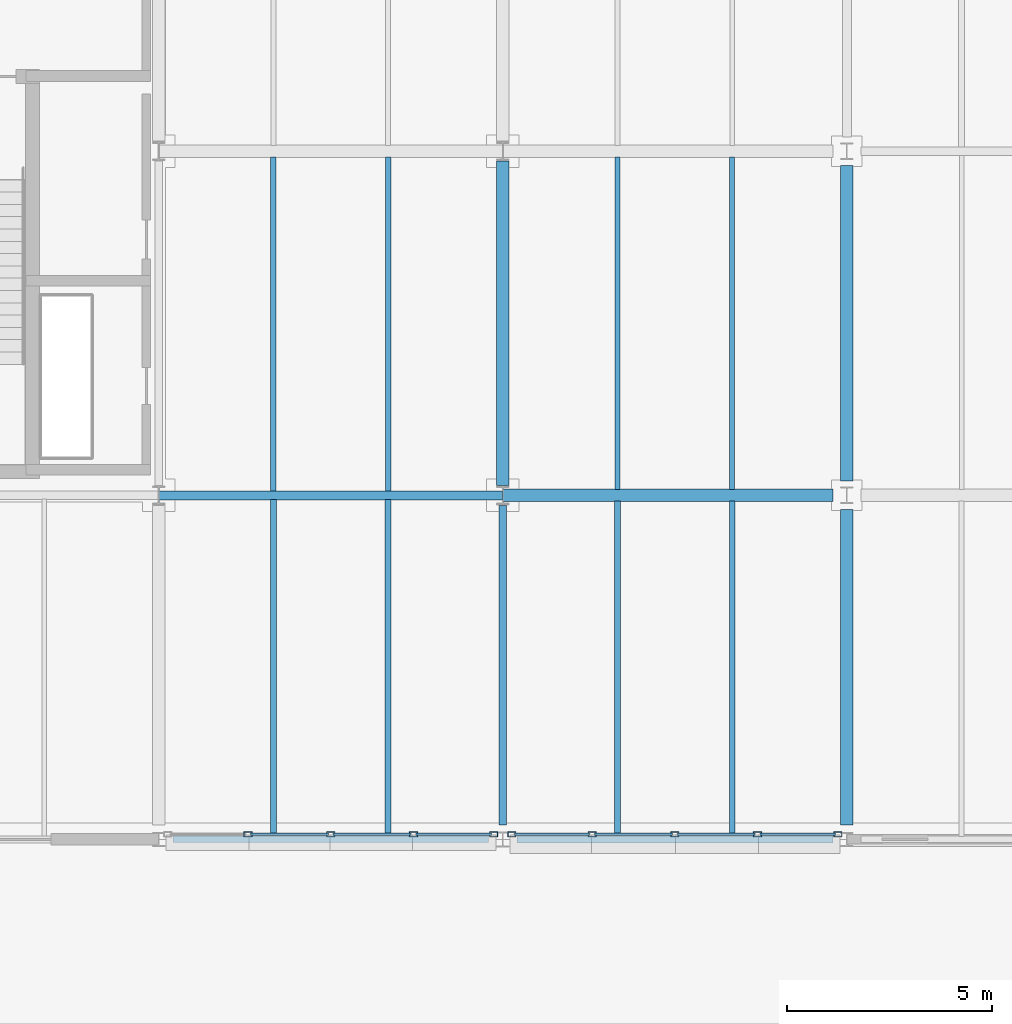
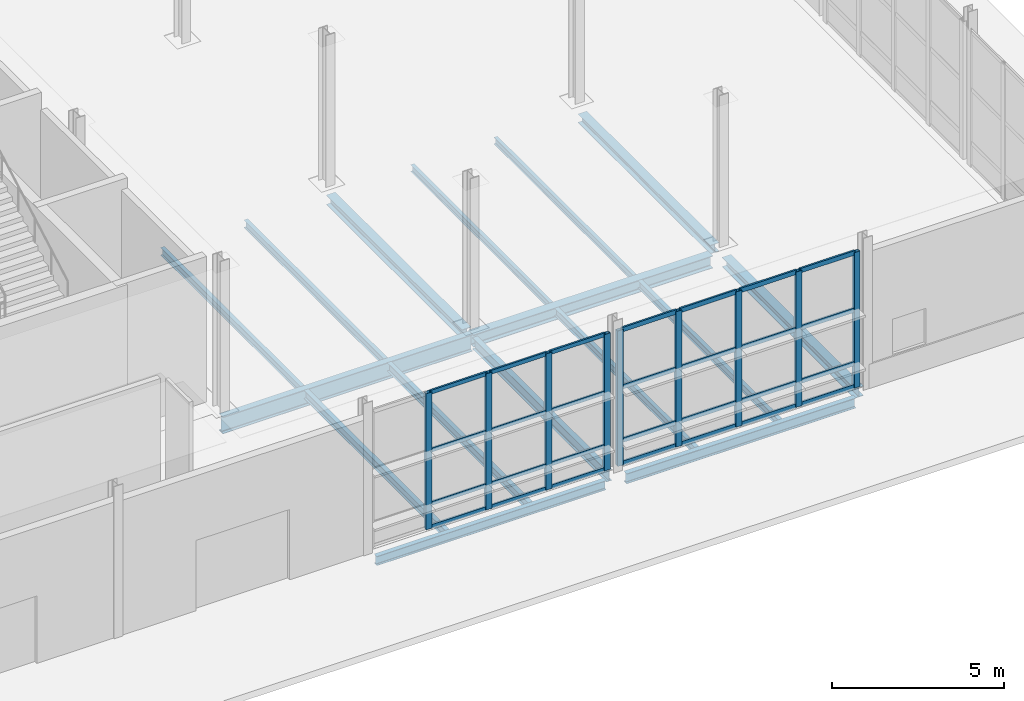
# One storey, part 46 of 124: 37 members, 16 beams, 2 elements without a shape of their own.
"""IFC4 building model written with IfcOpenShell, lengths in metres."""

from ifc_helpers import new_model, si_unit, direction, frame, origin, origin_2d, place, context, subcontext, project, spatial, hollow_rectangle, i_section, extrude, material, material_profile, profile_set, type_object, element, aggregate, save


model = new_model("IFC4")

# Units and contexts
model_context = context("Model", 3, precision=1e-05, world=origin(), true_north=direction((0.0, 1.0)))
body_context = subcontext(model_context, "Body", "Model", "MODEL_VIEW")
ifc_project = project(units=[si_unit("LENGTHUNIT", "METRE"), si_unit("AREAUNIT", "SQUARE_METRE"), si_unit("VOLUMEUNIT", "CUBIC_METRE"), si_unit("PLANEANGLEUNIT", "RADIAN"), si_unit("MASSUNIT", "GRAM", prefix="KILO")], contexts=[model_context])

# Site, building, storey
site_placement = place(None, origin())
site = spatial("IfcSite", under=ifc_project, at=site_placement, CompositionType="ELEMENT")
building_placement = place(site_placement, origin())
building = spatial("IfcBuilding", under=site, at=building_placement, Name="Mersafa Astral City Hall", CompositionType="ELEMENT")
storey_placement = place(building_placement, origin())
storey = spatial("IfcBuildingStorey", under=building, at=storey_placement, Name="L00", CompositionType="ELEMENT", Elevation=0.0)

# Curtain wall, members
ifc_material_1 = material(Name="Anodised bronze aluminium framing", Category="aluminium")
curtain_wall_type_1 = type_object("IfcCurtainWallType", Name="ENV-CW-2", PredefinedType="USERDEFINED", material=ifc_material_1)
curtain_wall_1_placement = place(storey_placement, origin())
curtain_wall_1 = element("IfcCurtainWall", 1, at=curtain_wall_1_placement, inside=storey, type_object=curtain_wall_type_1, Name="L00 Unitised solar curtain wall 1", ObjectType="UNITISED CURTAIN WALL", PredefinedType="USERDEFINED")
ifc_material_profile_1 = material_profile(ifc_material_1, hollow_rectangle(XDim=0.1201171875, YDim=0.199951171875, WallThickness=0.008056640625, at=origin_2d()), Name="RHS 120x200x8")
ifc_profile_set_1 = profile_set([ifc_material_profile_1], Name="Anodised bronze aluminium framing")
member_type_1 = type_object("IfcMemberType", Name="ENV-CW-MUL-2", PredefinedType="MULLION", material=ifc_profile_set_1)
member_1_placement = place(storey_placement, frame((128.180908203125, 0.1201171875, -0.001953125), z_axis=(0.0, 0.0, 1.0), x_axis=(0.0, 1.0, 0.0)))
member_1 = element("IfcMember", 2, at=member_1_placement, type_object=member_type_1, Name="CW-2 mullion 2", PredefinedType="MULLION", context=body_context, shape_type="SweptSolid", body=[
    extrude(hollow_rectangle(XDim=0.1201171875, YDim=0.199951171875, WallThickness=0.008056640625, at=origin_2d()), origin(), (0.0, 0.0, 1.0), 4.843994140625),
])
member_2_placement = place(storey_placement, frame((130.199951171875, 0.1201171875, -0.001953125), z_axis=(0.0, 0.0, 1.0), x_axis=(0.0, 1.0, 0.0)))
member_2 = element("IfcMember", 3, at=member_2_placement, type_object=member_type_1, Name="CW-2 mullion 3", PredefinedType="MULLION", context=body_context, shape_type="SweptSolid", body=[
    extrude(hollow_rectangle(XDim=0.1201171875, YDim=0.199951171875, WallThickness=0.008056640625, at=origin_2d()), origin(), (0.0, 0.0, 1.0), 4.843994140625),
])
member_3_placement = place(storey_placement, frame((132.218994140625, 0.1201171875, -0.001953125), z_axis=(0.0, 0.0, 1.0), x_axis=(0.0, 1.0, 0.0)))
member_3 = element("IfcMember", 4, at=member_3_placement, type_object=member_type_1, Name="CW-2 mullion 4", PredefinedType="MULLION", context=body_context, shape_type="SweptSolid", body=[
    extrude(hollow_rectangle(XDim=0.1201171875, YDim=0.199951171875, WallThickness=0.008056640625, at=origin_2d()), origin(), (0.0, 0.0, 1.0), 4.843994140625),
])
member_4_placement = place(storey_placement, frame((134.177978515625, 0.1201171875, -0.001953125), z_axis=(0.0, 0.0, 1.0), x_axis=(0.0, 1.0, 0.0)))
member_4 = element("IfcMember", 5, at=member_4_placement, type_object=member_type_1, Name="CW-2 mullion 5", PredefinedType="MULLION", context=body_context, shape_type="SweptSolid", body=[
    extrude(hollow_rectangle(XDim=0.1201171875, YDim=0.199951171875, WallThickness=0.008056640625, at=origin_2d()), origin(), (0.0, 0.0, 1.0), 4.843994140625),
])

curtain_wall_type_2 = type_object("IfcCurtainWallType", Name="ENV-CW-3", PredefinedType="USERDEFINED", material=ifc_material_1)
curtain_wall_2_placement = place(storey_placement, origin())
curtain_wall_2 = element("IfcCurtainWall", 6, at=curtain_wall_2_placement, inside=storey, type_object=curtain_wall_type_2, Name="L00 Unitised solar curtain wall 2", ObjectType="UNITISED CURTAIN WALL", PredefinedType="USERDEFINED")
member_5_placement = place(storey_placement, frame((134.6220703125, 0.1201171875, -0.001953125), z_axis=(0.0, 0.0, 1.0), x_axis=(0.0, 1.0, 0.0)))
member_5 = element("IfcMember", 7, at=member_5_placement, type_object=member_type_1, Name="CW-3 mullion 1", PredefinedType="MULLION", context=body_context, shape_type="SweptSolid", body=[
    extrude(hollow_rectangle(XDim=0.1201171875, YDim=0.199951171875, WallThickness=0.008056640625, at=origin_2d()), origin(), (0.0, 0.0, 1.0), 4.81396484375),
])
member_6_placement = place(storey_placement, frame((136.5810546875, 0.1201171875, -0.001953125), z_axis=(0.0, 0.0, 1.0), x_axis=(0.0, 1.0, 0.0)))
member_6 = element("IfcMember", 8, at=member_6_placement, type_object=member_type_1, Name="CW-3 mullion 2", PredefinedType="MULLION", context=body_context, shape_type="SweptSolid", body=[
    extrude(hollow_rectangle(XDim=0.1201171875, YDim=0.199951171875, WallThickness=0.008056640625, at=origin_2d()), origin(), (0.0, 0.0, 1.0), 4.81396484375),
])
member_7_placement = place(storey_placement, frame((138.60009765625, 0.1201171875, -0.001953125), z_axis=(0.0, 0.0, 1.0), x_axis=(0.0, 1.0, 0.0)))
member_7 = element("IfcMember", 9, at=member_7_placement, type_object=member_type_1, Name="CW-3 mullion 3", PredefinedType="MULLION", context=body_context, shape_type="SweptSolid", body=[
    extrude(hollow_rectangle(XDim=0.1201171875, YDim=0.199951171875, WallThickness=0.008056640625, at=origin_2d()), origin(), (0.0, 0.0, 1.0), 4.81396484375),
])
member_8_placement = place(storey_placement, frame((140.618896484375, 0.1201171875, -0.001953125), z_axis=(0.0, 0.0, 1.0), x_axis=(0.0, 1.0, 0.0)))
member_8 = element("IfcMember", 10, at=member_8_placement, type_object=member_type_1, Name="CW-3 mullion 4", PredefinedType="MULLION", context=body_context, shape_type="SweptSolid", body=[
    extrude(hollow_rectangle(XDim=0.1201171875, YDim=0.199951171875, WallThickness=0.008056640625, at=origin_2d()), origin(), (0.0, 0.0, 1.0), 4.81396484375),
])
member_9_placement = place(storey_placement, frame((142.577880859375, 0.1201171875, -0.001953125), z_axis=(0.0, 0.0, 1.0), x_axis=(0.0, 1.0, 0.0)))
member_9 = element("IfcMember", 11, at=member_9_placement, type_object=member_type_1, Name="CW-3 mullion 5", PredefinedType="MULLION", context=body_context, shape_type="SweptSolid", body=[
    extrude(hollow_rectangle(XDim=0.1201171875, YDim=0.199951171875, WallThickness=0.008056640625, at=origin_2d()), origin(), (0.0, 0.0, 1.0), 4.81396484375),
])

# Member
ifc_material_profile_2 = material_profile(ifc_material_1, hollow_rectangle(XDim=0.06005859375, YDim=0.139892578125, WallThickness=0.00390625, at=origin_2d()), Name="RHS 60x140x4")
ifc_profile_set_2 = profile_set([ifc_material_profile_2], Name="Anodised bronze aluminium framing")
member_type_2 = type_object("IfcMemberType", Name="ENV-CW-TRN-1", PredefinedType="USERDEFINED", material=ifc_profile_set_2)
member_10_placement = place(storey_placement, frame((128.240966796875, 0.1201171875, 0.028076171875), z_axis=(1.0, 0.0, 0.0), x_axis=(0.0, 1.0, 0.0)))
member_10 = element("IfcMember", 12, at=member_10_placement, type_object=member_type_2, Name="CW-2 transom 2.1", ObjectType="TRANSOM", PredefinedType="USERDEFINED", context=body_context, shape_type="SweptSolid", body=[
    extrude(hollow_rectangle(XDim=0.06005859375, YDim=0.139892578125, WallThickness=0.00390625, at=origin_2d()), origin(), (0.0, 0.0, 1.0), 1.89892578125),
])

member_11_placement = place(storey_placement, frame((128.240966796875, 0.1201171875, 0.85009765625), z_axis=(1.0, 0.0, 0.0), x_axis=(0.0, 1.0, 0.0)))
member_11 = element("IfcMember", 13, at=member_11_placement, type_object=member_type_2, Name="CW-2 transom 2.2", ObjectType="TRANSOM", PredefinedType="USERDEFINED", context=body_context, shape_type="SweptSolid", body=[
    extrude(hollow_rectangle(XDim=0.06005859375, YDim=0.139892578125, WallThickness=0.00390625, at=origin_2d()), origin(), (0.0, 0.0, 1.0), 1.89892578125),
])

member_12_placement = place(storey_placement, frame((128.240966796875, 0.1201171875, 2.75), z_axis=(1.0, 0.0, 0.0), x_axis=(0.0, 1.0, 0.0)))
member_12 = element("IfcMember", 14, at=member_12_placement, type_object=member_type_2, Name="CW-2 transom 2.3", ObjectType="TRANSOM", PredefinedType="USERDEFINED", context=body_context, shape_type="SweptSolid", body=[
    extrude(hollow_rectangle(XDim=0.06005859375, YDim=0.139892578125, WallThickness=0.00390625, at=origin_2d()), origin(), (0.0, 0.0, 1.0), 1.89892578125),
])

member_13_placement = place(storey_placement, frame((128.240966796875, 0.1201171875, 4.81201171875), z_axis=(1.0, 0.0, 0.0), x_axis=(0.0, 1.0, 0.0)))
member_13 = element("IfcMember", 15, at=member_13_placement, type_object=member_type_2, Name="CW-2 transom 2.4", ObjectType="TRANSOM", PredefinedType="USERDEFINED", context=body_context, shape_type="SweptSolid", body=[
    extrude(hollow_rectangle(XDim=0.06005859375, YDim=0.139892578125, WallThickness=0.00390625, at=origin_2d()), origin(), (0.0, 0.0, 1.0), 1.89892578125),
])

member_14_placement = place(storey_placement, frame((130.260009765625, 0.1201171875, 0.028076171875), z_axis=(1.0, 0.0, 0.0), x_axis=(0.0, 1.0, 0.0)))
member_14 = element("IfcMember", 16, at=member_14_placement, type_object=member_type_2, Name="CW-2 transom 3.1", ObjectType="TRANSOM", PredefinedType="USERDEFINED", context=body_context, shape_type="SweptSolid", body=[
    extrude(hollow_rectangle(XDim=0.06005859375, YDim=0.139892578125, WallThickness=0.00390625, at=origin_2d()), origin(), (0.0, 0.0, 1.0), 1.89892578125),
])

member_15_placement = place(storey_placement, frame((130.260009765625, 0.1201171875, 0.85009765625), z_axis=(1.0, 0.0, 0.0), x_axis=(0.0, 1.0, 0.0)))
member_15 = element("IfcMember", 17, at=member_15_placement, type_object=member_type_2, Name="CW-2 transom 3.2", ObjectType="TRANSOM", PredefinedType="USERDEFINED", context=body_context, shape_type="SweptSolid", body=[
    extrude(hollow_rectangle(XDim=0.06005859375, YDim=0.139892578125, WallThickness=0.00390625, at=origin_2d()), origin(), (0.0, 0.0, 1.0), 1.89892578125),
])

member_16_placement = place(storey_placement, frame((130.260009765625, 0.1201171875, 2.75), z_axis=(1.0, 0.0, 0.0), x_axis=(0.0, 1.0, 0.0)))
member_16 = element("IfcMember", 18, at=member_16_placement, type_object=member_type_2, Name="CW-2 transom 3.3", ObjectType="TRANSOM", PredefinedType="USERDEFINED", context=body_context, shape_type="SweptSolid", body=[
    extrude(hollow_rectangle(XDim=0.06005859375, YDim=0.139892578125, WallThickness=0.00390625, at=origin_2d()), origin(), (0.0, 0.0, 1.0), 1.89892578125),
])

member_17_placement = place(storey_placement, frame((130.260009765625, 0.1201171875, 4.81201171875), z_axis=(1.0, 0.0, 0.0), x_axis=(0.0, 1.0, 0.0)))
member_17 = element("IfcMember", 19, at=member_17_placement, type_object=member_type_2, Name="CW-2 transom 3.4", ObjectType="TRANSOM", PredefinedType="USERDEFINED", context=body_context, shape_type="SweptSolid", body=[
    extrude(hollow_rectangle(XDim=0.06005859375, YDim=0.139892578125, WallThickness=0.00390625, at=origin_2d()), origin(), (0.0, 0.0, 1.0), 1.89892578125),
])

member_18_placement = place(storey_placement, frame((132.279052734375, 0.1201171875, 0.028076171875), z_axis=(1.0, 0.0, 0.0), x_axis=(0.0, 1.0, 0.0)))
member_18 = element("IfcMember", 20, at=member_18_placement, type_object=member_type_2, Name="CW-2 transom 4.1", ObjectType="TRANSOM", PredefinedType="USERDEFINED", context=body_context, shape_type="SweptSolid", body=[
    extrude(hollow_rectangle(XDim=0.06005859375, YDim=0.139892578125, WallThickness=0.00390625, at=origin_2d()), origin(), (0.0, 0.0, 1.0), 1.8388671875),
])

member_19_placement = place(storey_placement, frame((132.279052734375, 0.1201171875, 0.85009765625), z_axis=(1.0, 0.0, 0.0), x_axis=(0.0, 1.0, 0.0)))
member_19 = element("IfcMember", 21, at=member_19_placement, type_object=member_type_2, Name="CW-2 transom 4.2", ObjectType="TRANSOM", PredefinedType="USERDEFINED", context=body_context, shape_type="SweptSolid", body=[
    extrude(hollow_rectangle(XDim=0.06005859375, YDim=0.139892578125, WallThickness=0.00390625, at=origin_2d()), origin(), (0.0, 0.0, 1.0), 1.8388671875),
])

member_20_placement = place(storey_placement, frame((132.279052734375, 0.1201171875, 2.75), z_axis=(1.0, 0.0, 0.0), x_axis=(0.0, 1.0, 0.0)))
member_20 = element("IfcMember", 22, at=member_20_placement, type_object=member_type_2, Name="CW-2 transom 4.3", ObjectType="TRANSOM", PredefinedType="USERDEFINED", context=body_context, shape_type="SweptSolid", body=[
    extrude(hollow_rectangle(XDim=0.06005859375, YDim=0.139892578125, WallThickness=0.00390625, at=origin_2d()), origin(), (0.0, 0.0, 1.0), 1.8388671875),
])

member_21_placement = place(storey_placement, frame((132.279052734375, 0.1201171875, 4.81201171875), z_axis=(1.0, 0.0, 0.0), x_axis=(0.0, 1.0, 0.0)))
member_21 = element("IfcMember", 23, at=member_21_placement, type_object=member_type_2, Name="CW-2 transom 4.4", ObjectType="TRANSOM", PredefinedType="USERDEFINED", context=body_context, shape_type="SweptSolid", body=[
    extrude(hollow_rectangle(XDim=0.06005859375, YDim=0.139892578125, WallThickness=0.00390625, at=origin_2d()), origin(), (0.0, 0.0, 1.0), 1.8388671875),
])

aggregate(curtain_wall_1, [member_1, member_2, member_3, member_4, member_10, member_11, member_12, member_13, member_14, member_15, member_16, member_17, member_18, member_19, member_20, member_21])

ifc_material_profile_3 = material_profile(ifc_material_1, hollow_rectangle(XDim=0.06005859375, YDim=0.159912109375, WallThickness=0.00390625, at=origin_2d()), Name="RHS 60x160x4")
ifc_profile_set_3 = profile_set([ifc_material_profile_3], Name="Anodised bronze aluminium framing")
member_type_3 = type_object("IfcMemberType", Name="ENV-CW-TRN-2", PredefinedType="USERDEFINED", material=ifc_profile_set_3)
member_22_placement = place(storey_placement, frame((134.681884765625, 0.1201171875, 0.028076171875), z_axis=(1.0, 0.0, 0.0), x_axis=(0.0, 1.0, 0.0)))
member_22 = element("IfcMember", 24, at=member_22_placement, type_object=member_type_3, Name="CW-3 transom 1.1", ObjectType="TRANSOM", PredefinedType="USERDEFINED", context=body_context, shape_type="SweptSolid", body=[
    extrude(hollow_rectangle(XDim=0.06005859375, YDim=0.159912109375, WallThickness=0.00390625, at=origin_2d()), origin(), (0.0, 0.0, 1.0), 1.839111328125),
])

member_23_placement = place(storey_placement, frame((134.681884765625, 0.1201171875, 0.85009765625), z_axis=(1.0, 0.0, 0.0), x_axis=(0.0, 1.0, 0.0)))
member_23 = element("IfcMember", 25, at=member_23_placement, type_object=member_type_3, Name="CW-3 transom 1.2", ObjectType="TRANSOM", PredefinedType="USERDEFINED", context=body_context, shape_type="SweptSolid", body=[
    extrude(hollow_rectangle(XDim=0.06005859375, YDim=0.159912109375, WallThickness=0.00390625, at=origin_2d()), origin(), (0.0, 0.0, 1.0), 1.839111328125),
])

member_24_placement = place(storey_placement, frame((134.681884765625, 0.1201171875, 2.75), z_axis=(1.0, 0.0, 0.0), x_axis=(0.0, 1.0, 0.0)))
member_24 = element("IfcMember", 26, at=member_24_placement, type_object=member_type_3, Name="CW-3 transom 1.3", ObjectType="TRANSOM", PredefinedType="USERDEFINED", context=body_context, shape_type="SweptSolid", body=[
    extrude(hollow_rectangle(XDim=0.06005859375, YDim=0.159912109375, WallThickness=0.00390625, at=origin_2d()), origin(), (0.0, 0.0, 1.0), 1.839111328125),
])

member_25_placement = place(storey_placement, frame((134.681884765625, 0.1201171875, 4.781982421875), z_axis=(1.0, 0.0, 0.0), x_axis=(0.0, 1.0, 0.0)))
member_25 = element("IfcMember", 27, at=member_25_placement, type_object=member_type_3, Name="CW-3 transom 1.4", ObjectType="TRANSOM", PredefinedType="USERDEFINED", context=body_context, shape_type="SweptSolid", body=[
    extrude(hollow_rectangle(XDim=0.06005859375, YDim=0.159912109375, WallThickness=0.00390625, at=origin_2d()), origin(), (0.0, 0.0, 1.0), 1.839111328125),
])

member_26_placement = place(storey_placement, frame((136.64111328125, 0.1201171875, 0.028076171875), z_axis=(1.0, 0.0, 0.0), x_axis=(0.0, 1.0, 0.0)))
member_26 = element("IfcMember", 28, at=member_26_placement, type_object=member_type_3, Name="CW-3 transom 2.1", ObjectType="TRANSOM", PredefinedType="USERDEFINED", context=body_context, shape_type="SweptSolid", body=[
    extrude(hollow_rectangle(XDim=0.06005859375, YDim=0.159912109375, WallThickness=0.00390625, at=origin_2d()), origin(), (0.0, 0.0, 1.0), 1.89892578125),
])

member_27_placement = place(storey_placement, frame((136.64111328125, 0.1201171875, 0.85009765625), z_axis=(1.0, 0.0, 0.0), x_axis=(0.0, 1.0, 0.0)))
member_27 = element("IfcMember", 29, at=member_27_placement, type_object=member_type_3, Name="CW-3 transom 2.2", ObjectType="TRANSOM", PredefinedType="USERDEFINED", context=body_context, shape_type="SweptSolid", body=[
    extrude(hollow_rectangle(XDim=0.06005859375, YDim=0.159912109375, WallThickness=0.00390625, at=origin_2d()), origin(), (0.0, 0.0, 1.0), 1.89892578125),
])

member_28_placement = place(storey_placement, frame((136.64111328125, 0.1201171875, 2.75), z_axis=(1.0, 0.0, 0.0), x_axis=(0.0, 1.0, 0.0)))
member_28 = element("IfcMember", 30, at=member_28_placement, type_object=member_type_3, Name="CW-3 transom 2.3", ObjectType="TRANSOM", PredefinedType="USERDEFINED", context=body_context, shape_type="SweptSolid", body=[
    extrude(hollow_rectangle(XDim=0.06005859375, YDim=0.159912109375, WallThickness=0.00390625, at=origin_2d()), origin(), (0.0, 0.0, 1.0), 1.89892578125),
])

member_29_placement = place(storey_placement, frame((136.64111328125, 0.1201171875, 4.781982421875), z_axis=(1.0, 0.0, 0.0), x_axis=(0.0, 1.0, 0.0)))
member_29 = element("IfcMember", 31, at=member_29_placement, type_object=member_type_3, Name="CW-3 transom 2.4", ObjectType="TRANSOM", PredefinedType="USERDEFINED", context=body_context, shape_type="SweptSolid", body=[
    extrude(hollow_rectangle(XDim=0.06005859375, YDim=0.159912109375, WallThickness=0.00390625, at=origin_2d()), origin(), (0.0, 0.0, 1.0), 1.89892578125),
])

member_30_placement = place(storey_placement, frame((138.659912109375, 0.1201171875, 0.028076171875), z_axis=(1.0, 0.0, 0.0), x_axis=(0.0, 1.0, 0.0)))
member_30 = element("IfcMember", 32, at=member_30_placement, type_object=member_type_3, Name="CW-3 transom 3.1", ObjectType="TRANSOM", PredefinedType="USERDEFINED", context=body_context, shape_type="SweptSolid", body=[
    extrude(hollow_rectangle(XDim=0.06005859375, YDim=0.159912109375, WallThickness=0.00390625, at=origin_2d()), origin(), (0.0, 0.0, 1.0), 1.899169921875),
])

member_31_placement = place(storey_placement, frame((138.659912109375, 0.1201171875, 0.85009765625), z_axis=(1.0, 0.0, 0.0), x_axis=(0.0, 1.0, 0.0)))
member_31 = element("IfcMember", 33, at=member_31_placement, type_object=member_type_3, Name="CW-3 transom 3.2", ObjectType="TRANSOM", PredefinedType="USERDEFINED", context=body_context, shape_type="SweptSolid", body=[
    extrude(hollow_rectangle(XDim=0.06005859375, YDim=0.159912109375, WallThickness=0.00390625, at=origin_2d()), origin(), (0.0, 0.0, 1.0), 1.899169921875),
])

member_32_placement = place(storey_placement, frame((138.659912109375, 0.1201171875, 2.75), z_axis=(1.0, 0.0, 0.0), x_axis=(0.0, 1.0, 0.0)))
member_32 = element("IfcMember", 34, at=member_32_placement, type_object=member_type_3, Name="CW-3 transom 3.3", ObjectType="TRANSOM", PredefinedType="USERDEFINED", context=body_context, shape_type="SweptSolid", body=[
    extrude(hollow_rectangle(XDim=0.06005859375, YDim=0.159912109375, WallThickness=0.00390625, at=origin_2d()), origin(), (0.0, 0.0, 1.0), 1.899169921875),
])

member_33_placement = place(storey_placement, frame((138.659912109375, 0.1201171875, 4.781982421875), z_axis=(1.0, 0.0, 0.0), x_axis=(0.0, 1.0, 0.0)))
member_33 = element("IfcMember", 35, at=member_33_placement, type_object=member_type_3, Name="CW-3 transom 3.4", ObjectType="TRANSOM", PredefinedType="USERDEFINED", context=body_context, shape_type="SweptSolid", body=[
    extrude(hollow_rectangle(XDim=0.06005859375, YDim=0.159912109375, WallThickness=0.00390625, at=origin_2d()), origin(), (0.0, 0.0, 1.0), 1.899169921875),
])

member_34_placement = place(storey_placement, frame((140.678955078125, 0.1201171875, 0.028076171875), z_axis=(1.0, 0.0, 0.0), x_axis=(0.0, 1.0, 0.0)))
member_34 = element("IfcMember", 36, at=member_34_placement, type_object=member_type_3, Name="CW-3 transom 4.1", ObjectType="TRANSOM", PredefinedType="USERDEFINED", context=body_context, shape_type="SweptSolid", body=[
    extrude(hollow_rectangle(XDim=0.06005859375, YDim=0.159912109375, WallThickness=0.00390625, at=origin_2d()), origin(), (0.0, 0.0, 1.0), 1.839111328125),
])

member_35_placement = place(storey_placement, frame((140.678955078125, 0.1201171875, 0.85009765625), z_axis=(1.0, 0.0, 0.0), x_axis=(0.0, 1.0, 0.0)))
member_35 = element("IfcMember", 37, at=member_35_placement, type_object=member_type_3, Name="CW-3 transom 4.2", ObjectType="TRANSOM", PredefinedType="USERDEFINED", context=body_context, shape_type="SweptSolid", body=[
    extrude(hollow_rectangle(XDim=0.06005859375, YDim=0.159912109375, WallThickness=0.00390625, at=origin_2d()), origin(), (0.0, 0.0, 1.0), 1.839111328125),
])

member_36_placement = place(storey_placement, frame((140.678955078125, 0.1201171875, 2.75), z_axis=(1.0, 0.0, 0.0), x_axis=(0.0, 1.0, 0.0)))
member_36 = element("IfcMember", 38, at=member_36_placement, type_object=member_type_3, Name="CW-3 transom 4.3", ObjectType="TRANSOM", PredefinedType="USERDEFINED", context=body_context, shape_type="SweptSolid", body=[
    extrude(hollow_rectangle(XDim=0.06005859375, YDim=0.159912109375, WallThickness=0.00390625, at=origin_2d()), origin(), (0.0, 0.0, 1.0), 1.839111328125),
])

member_37_placement = place(storey_placement, frame((140.678955078125, 0.1201171875, 4.781982421875), z_axis=(1.0, 0.0, 0.0), x_axis=(0.0, 1.0, 0.0)))
member_37 = element("IfcMember", 39, at=member_37_placement, type_object=member_type_3, Name="CW-3 transom 4.4", ObjectType="TRANSOM", PredefinedType="USERDEFINED", context=body_context, shape_type="SweptSolid", body=[
    extrude(hollow_rectangle(XDim=0.06005859375, YDim=0.159912109375, WallThickness=0.00390625, at=origin_2d()), origin(), (0.0, 0.0, 1.0), 1.839111328125),
])

aggregate(curtain_wall_2, [member_5, member_6, member_7, member_8, member_9, member_22, member_23, member_24, member_25, member_26, member_27, member_28, member_29, member_30, member_31, member_32, member_33, member_34, member_35, member_36, member_37])

# Beams
ifc_material_2 = material(Name="Steel S355", Category="steel")
ifc_material_profile_4 = material_profile(ifc_material_2, i_section(OverallWidth=0.300048828125, OverallDepth=0.31005859375, WebThickness=0.009033203125, FlangeThickness=0.015380859375, FilletRadius=0.027099609375, at=origin_2d()), Name="HEA 320")
ifc_profile_set_4 = profile_set([ifc_material_profile_4], Name="Steel S355")
beam_type_1 = type_object("IfcBeamType", Name="STR-BM-HEA320", PredefinedType="BEAM", material=ifc_profile_set_4)
beam_1_placement = place(storey_placement, frame((142.800048828125, 8.7451171875, -0.405029296875), z_axis=(0.0, 1.0, 0.0), x_axis=(-1.0, 0.0, 0.0)))
element("IfcBeam", 40, at=beam_1_placement, inside=storey, type_object=beam_type_1, Name="L00 Primary girder Y 17-1", PredefinedType="BEAM", context=body_context, shape_type="SweptSolid", body=[
    extrude(i_section(OverallWidth=0.300048828125, OverallDepth=0.31005859375, WebThickness=0.009033203125, FlangeThickness=0.015380859375, FilletRadius=0.027099609375, at=origin_2d()), origin(), (0.0, 0.0, 1.0), 7.7099609375),
])
ifc_material_profile_5 = material_profile(ifc_material_2, i_section(OverallWidth=0.300048828125, OverallDepth=0.35009765625, WebThickness=0.010009765625, FlangeThickness=0.017578125, FilletRadius=0.027099609375, at=origin_2d()), Name="HEA 360")
ifc_profile_set_5 = profile_set([ifc_material_profile_5], Name="Steel S355")
beam_type_2 = type_object("IfcBeamType", Name="STR-BM-HEA360", PredefinedType="BEAM", material=ifc_profile_set_5)
beam_2_placement = place(storey_placement, frame((134.39990234375, 8.64501953125, -0.425048828125), z_axis=(0.0, 1.0, 0.0), x_axis=(-1.0, 0.0, 0.0)))
element("IfcBeam", 41, at=beam_2_placement, inside=storey, type_object=beam_type_2, Name="L00 Primary girder Y 16-1", PredefinedType="BEAM", context=body_context, shape_type="SweptSolid", body=[
    extrude(i_section(OverallWidth=0.300048828125, OverallDepth=0.35009765625, WebThickness=0.010009765625, FlangeThickness=0.017578125, FilletRadius=0.027099609375, at=origin_2d()), origin(), (0.0, 0.0, 1.0), 7.909912109375),
])
beam_3_placement = place(storey_placement, frame((142.800048828125, 0.344970703125, -0.425048828125), z_axis=(0.0, 1.0, 0.0), x_axis=(-1.0, 0.0, 0.0)))
element("IfcBeam", 42, at=beam_3_placement, inside=storey, type_object=beam_type_2, Name="L00 Primary girder Y 17-0", PredefinedType="BEAM", context=body_context, shape_type="SweptSolid", body=[
    extrude(i_section(OverallWidth=0.300048828125, OverallDepth=0.35009765625, WebThickness=0.010009765625, FlangeThickness=0.017578125, FilletRadius=0.027099609375, at=origin_2d()), origin(), (0.0, 0.0, 1.0), 7.7099609375),
])
ifc_material_profile_6 = material_profile(ifc_material_2, i_section(OverallWidth=0.300048828125, OverallDepth=0.43994140625, WebThickness=0.011474609375, FlangeThickness=0.02099609375, FilletRadius=0.027099609375, at=origin_2d()), Name="HEA 450")
ifc_profile_set_6 = profile_set([ifc_material_profile_6], Name="Steel S355")
beam_type_3 = type_object("IfcBeamType", Name="STR-BM-HEA450", PredefinedType="BEAM", material=ifc_profile_set_6)
beam_4_placement = place(storey_placement, frame((134.403076171875, 8.39990234375, -0.469970703125), z_axis=(1.0, 0.0, 0.0), x_axis=(0.0, 1.0, 0.0)))
element("IfcBeam", 43, at=beam_4_placement, inside=storey, type_object=beam_type_3, Name="L00 Primary girder X 16-1", PredefinedType="BEAM", context=body_context, shape_type="SweptSolid", body=[
    extrude(i_section(OverallWidth=0.300048828125, OverallDepth=0.43994140625, WebThickness=0.011474609375, FlangeThickness=0.02099609375, FilletRadius=0.027099609375, at=origin_2d()), origin(), (0.0, 0.0, 1.0), 8.052001953125),
])
ifc_material_profile_7 = material_profile(ifc_material_2, i_section(OverallWidth=0.179931640625, OverallDepth=0.39990234375, WebThickness=0.008544921875, FlangeThickness=0.013427734375, FilletRadius=0.02099609375, at=origin_2d()), Name="IPE 400")
ifc_profile_set_7 = profile_set([ifc_material_profile_7], Name="Steel S355")
beam_type_4 = type_object("IfcBeamType", Name="STR-BM-IPE400", PredefinedType="BEAM", material=ifc_profile_set_7)
beam_5_placement = place(storey_placement, frame((134.39990234375, 0.344970703125, -0.449951171875), z_axis=(0.0, 1.0, 0.0), x_axis=(-1.0, 0.0, 0.0)))
element("IfcBeam", 44, at=beam_5_placement, inside=storey, type_object=beam_type_4, Name="L00 Primary girder Y 16-0", PredefinedType="BEAM", context=body_context, shape_type="SweptSolid", body=[
    extrude(i_section(OverallWidth=0.179931640625, OverallDepth=0.39990234375, WebThickness=0.008544921875, FlangeThickness=0.013427734375, FilletRadius=0.02099609375, at=origin_2d()), origin(), (0.0, 0.0, 1.0), 7.81005859375),
])
ifc_material_profile_8 = material_profile(ifc_material_2, i_section(OverallWidth=0.219970703125, OverallDepth=0.60009765625, WebThickness=0.011962890625, FlangeThickness=0.01904296875, FilletRadius=0.02392578125, at=origin_2d()), Name="IPE 600")
ifc_profile_set_8 = profile_set([ifc_material_profile_8], Name="Steel S355")
beam_type_5 = type_object("IfcBeamType", Name="STR-BM-IPE600", PredefinedType="BEAM", material=ifc_profile_set_8)
beam_6_placement = place(storey_placement, frame((126.0029296875, 8.39990234375, -0.550048828125), z_axis=(1.0, 0.0, 0.0), x_axis=(0.0, 1.0, 0.0)))
element("IfcBeam", 45, at=beam_6_placement, inside=storey, type_object=beam_type_5, Name="L00 Primary girder X 15-1", PredefinedType="BEAM", context=body_context, shape_type="SweptSolid", body=[
    extrude(i_section(OverallWidth=0.219970703125, OverallDepth=0.60009765625, WebThickness=0.011962890625, FlangeThickness=0.01904296875, FilletRadius=0.02392578125, at=origin_2d()), origin(), (0.0, 0.0, 1.0), 8.39404296875),
])
ifc_material_profile_9 = material_profile(ifc_material_2, i_section(OverallWidth=0.1201171875, OverallDepth=0.239990234375, WebThickness=0.006103515625, FlangeThickness=0.009765625, FilletRadius=0.014892578125, at=origin_2d()), Name="IPE 240")
ifc_profile_set_9 = profile_set([ifc_material_profile_9], Name="Steel S355")
beam_type_6 = type_object("IfcBeamType", Name="STR-BM-JOIST-IPE240", PredefinedType="JOIST", material=ifc_profile_set_9)
for number, where, z_axis, x_axis, name in (
    (46, (137.199951171875, 8.544921875, -0.3701171875), (0.0, 1.0, 0.0), (-1.0, 0.0, 0.0), "L00 Composite secondary floor joist 156"),
    (47, (140.0, 8.544921875, -0.3701171875), (0.0, 1.0, 0.0), (-1.0, 0.0, 0.0), "L00 Composite secondary floor joist 157"),
):
    element("IfcBeam", number, at=place(storey_placement, frame(where, z_axis=z_axis, x_axis=x_axis)), inside=storey, type_object=beam_type_6, Name=name, PredefinedType="JOIST", context=body_context, shape_type="SweptSolid", body=[
        extrude(i_section(OverallWidth=0.1201171875, OverallDepth=0.239990234375, WebThickness=0.006103515625, FlangeThickness=0.009765625, FilletRadius=0.014892578125, at=origin_2d()), origin(), (0.0, 0.0, 1.0), 8.110107421875),
    ])
ifc_material_profile_10 = material_profile(ifc_material_2, i_section(OverallWidth=0.135009765625, OverallDepth=0.27001953125, WebThickness=0.006591796875, FlangeThickness=0.01025390625, FilletRadius=0.014892578125, at=origin_2d()), Name="IPE 270")
ifc_profile_set_10 = profile_set([ifc_material_profile_10], Name="Steel S355")
beam_type_7 = type_object("IfcBeamType", Name="STR-BM-JOIST-IPE270", PredefinedType="JOIST", material=ifc_profile_set_10)
for number, where, z_axis, x_axis, name in (
    (48, (128.800048828125, 8.5048828125, -0.385009765625), (0.0, 1.0, 0.0), (-1.0, 0.0, 0.0), "L00 Composite secondary floor joist 146"),
    (49, (131.60009765625, 8.5048828125, -0.385009765625), (0.0, 1.0, 0.0), (-1.0, 0.0, 0.0), "L00 Composite secondary floor joist 147"),
):
    element("IfcBeam", number, at=place(storey_placement, frame(where, z_axis=z_axis, x_axis=x_axis)), inside=storey, type_object=beam_type_7, Name=name, PredefinedType="JOIST", context=body_context, shape_type="SweptSolid", body=[
        extrude(i_section(OverallWidth=0.135009765625, OverallDepth=0.27001953125, WebThickness=0.006591796875, FlangeThickness=0.01025390625, FilletRadius=0.014892578125, at=origin_2d()), origin(), (0.0, 0.0, 1.0), 8.150146484375),
    ])
for number, where, z_axis, x_axis, name in (
    (50, (137.199951171875, 0.080078125, -0.385009765625), (0.0, 1.0, 0.0), (-1.0, 0.0, 0.0), "L00 Composite secondary floor joist 154"),
    (51, (140.0, 0.080078125, -0.385009765625), (0.0, 1.0, 0.0), (-1.0, 0.0, 0.0), "L00 Composite secondary floor joist 155"),
):
    element("IfcBeam", number, at=place(storey_placement, frame(where, z_axis=z_axis, x_axis=x_axis)), inside=storey, type_object=beam_type_7, Name=name, PredefinedType="JOIST", context=body_context, shape_type="SweptSolid", body=[
        extrude(i_section(OverallWidth=0.135009765625, OverallDepth=0.27001953125, WebThickness=0.006591796875, FlangeThickness=0.01025390625, FilletRadius=0.014892578125, at=origin_2d()), origin(), (0.0, 0.0, 1.0), 8.1748046875),
    ])
ifc_material_profile_11 = material_profile(ifc_material_2, i_section(OverallWidth=0.14990234375, OverallDepth=0.300048828125, WebThickness=0.007080078125, FlangeThickness=0.0107421875, FilletRadius=0.014892578125, at=origin_2d()), Name="IPE 300")
ifc_profile_set_11 = profile_set([ifc_material_profile_11], Name="Steel S355")
beam_type_8 = type_object("IfcBeamType", Name="STR-BM-JOIST-IPE300", PredefinedType="JOIST", material=ifc_profile_set_11)
for number, where, z_axis, x_axis, name in (
    (52, (128.800048828125, 0.074951171875, -0.39990234375), (0.0, 1.0, 0.0), (-1.0, 0.0, 0.0), "L00 Composite secondary floor joist 144"),
    (53, (131.60009765625, 0.074951171875, -0.39990234375), (0.0, 1.0, 0.0), (-1.0, 0.0, 0.0), "L00 Composite secondary floor joist 145"),
):
    element("IfcBeam", number, at=place(storey_placement, frame(where, z_axis=z_axis, x_axis=x_axis)), inside=storey, type_object=beam_type_8, Name=name, PredefinedType="JOIST", context=body_context, shape_type="SweptSolid", body=[
        extrude(i_section(OverallWidth=0.14990234375, OverallDepth=0.300048828125, WebThickness=0.007080078125, FlangeThickness=0.0107421875, FilletRadius=0.014892578125, at=origin_2d()), origin(), (0.0, 0.0, 1.0), 8.219970703125),
    ])
ifc_material_profile_12 = material_profile(ifc_material_2, i_section(OverallWidth=0.159912109375, OverallDepth=0.330078125, WebThickness=0.007568359375, FlangeThickness=0.011474609375, FilletRadius=0.01806640625, at=origin_2d()), Name="IPE 330")
ifc_profile_set_12 = profile_set([ifc_material_profile_12], Name="Steel S355")
beam_type_9 = type_object("IfcBeamType", Name="STR-BM-SPANDREL-IPE330", PredefinedType="SPANDREL", material=ifc_profile_set_12)
beam_7_placement = place(storey_placement, frame((126.344970703125, 0.0, -0.4150390625), z_axis=(1.0, 0.0, 0.0), x_axis=(0.0, 1.0, 0.0)))
element("IfcBeam", 54, at=beam_7_placement, inside=storey, type_object=beam_type_9, Name="L00 Primary girder X 15-0", PredefinedType="SPANDREL", context=body_context, shape_type="SweptSolid", body=[
    extrude(i_section(OverallWidth=0.159912109375, OverallDepth=0.330078125, WebThickness=0.007568359375, FlangeThickness=0.011474609375, FilletRadius=0.01806640625, at=origin_2d()), origin(), (0.0, 0.0, 1.0), 7.7099609375),
])
ifc_material_profile_13 = material_profile(ifc_material_2, i_section(OverallWidth=0.169921875, OverallDepth=0.360107421875, WebThickness=0.008056640625, FlangeThickness=0.0126953125, FilletRadius=0.01806640625, at=origin_2d()), Name="IPE 360")
ifc_profile_set_13 = profile_set([ifc_material_profile_13], Name="Steel S355")
beam_type_10 = type_object("IfcBeamType", Name="STR-BM-SPANDREL-IPE360", PredefinedType="SPANDREL", material=ifc_profile_set_13)
beam_8_placement = place(storey_placement, frame((134.7451171875, 0.0, -0.429931640625), z_axis=(1.0, 0.0, 0.0), x_axis=(0.0, 1.0, 0.0)))
element("IfcBeam", 55, at=beam_8_placement, inside=storey, type_object=beam_type_10, Name="L00 Primary girder X 16-0", PredefinedType="SPANDREL", context=body_context, shape_type="SweptSolid", body=[
    extrude(i_section(OverallWidth=0.169921875, OverallDepth=0.360107421875, WebThickness=0.008056640625, FlangeThickness=0.0126953125, FilletRadius=0.01806640625, at=origin_2d()), origin(), (0.0, 0.0, 1.0), 7.7099609375),
])

save(model, "model.ifc")
